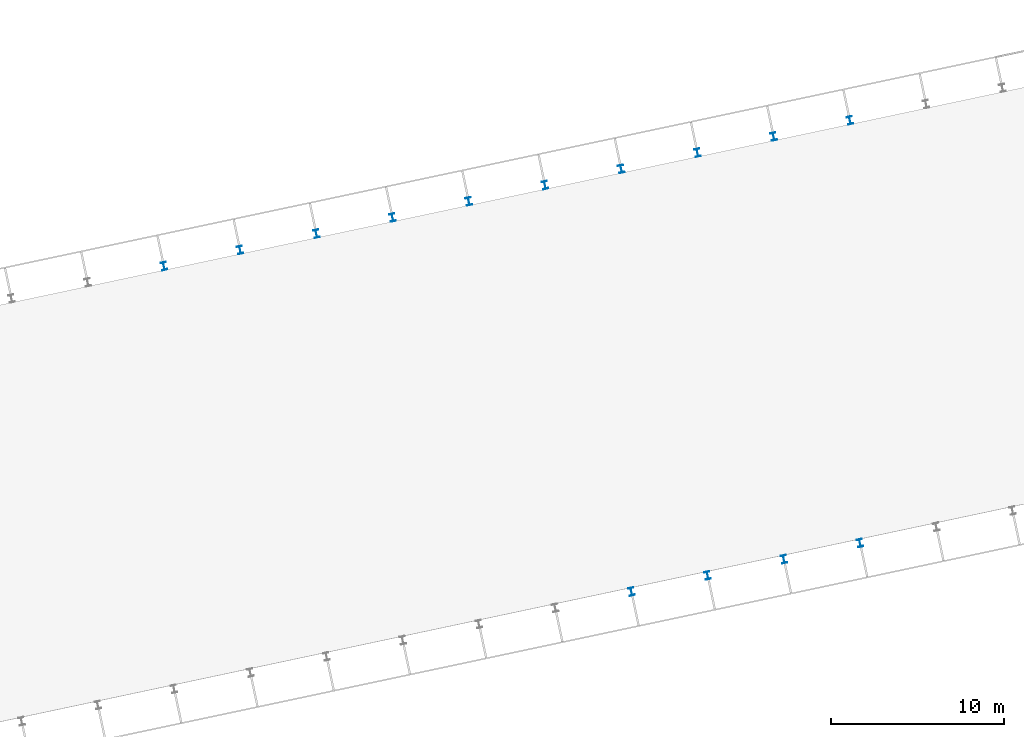
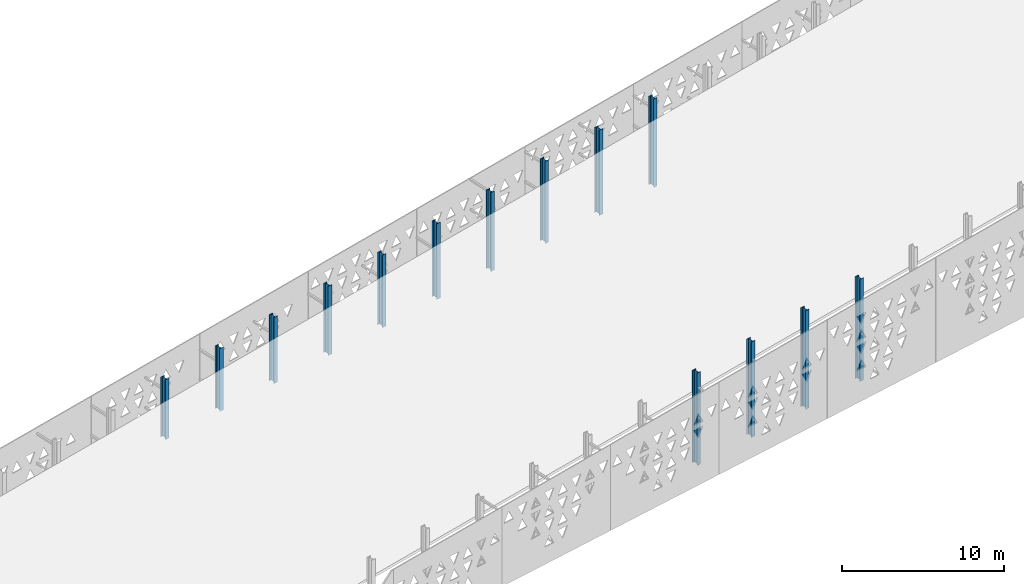
# One storey, part 4 of 41: 14 columns.
"""IFC4 building model written with IfcOpenShell, lengths in metres."""

import ifcopenshell
import ifcopenshell.guid

model = None  # the IFC model being written
_history = None  # IfcOwnerHistory: only IFC2X3 demands one
_inside = {}  # id of a spatial element -> (the spatial element, [elements in it])
_under = {}  # id of a project, library or spatial element -> (it, [spatial elements below it])
_declared = {}  # id of a project -> (the project, [libraries it declares])
_typed = {}  # id of a type object -> (the type object, [elements of that type])
_made_of = {}  # id of a material, layer set ... -> (it, [elements and type objects made of it])


def new_model(schema):
    """Start an empty IFC model of exactly this schema.

    Asked for "IFC4X3", IfcOpenShell would pick the latest addendum, in which some entities
    have other attributes; the version numbers below select the first issue.
    IFC2X3 requires an IfcOwnerHistory on every rooted entity: one is made here for all.
    """
    global model, _history
    if schema == "IFC4X3":
        model = ifcopenshell.file(schema_version=(4, 3, 0, 0))
    else:
        model = ifcopenshell.file(schema=schema)
    _inside.clear()
    _under.clear()
    _declared.clear()
    _typed.clear()
    _made_of.clear()
    _history = None
    if model.schema == "IFC2X3":
        org = make("IfcOrganization", Name="unknown")
        user = make(
            "IfcPersonAndOrganization",
            ThePerson=make("IfcPerson", FamilyName="unknown"),
            TheOrganization=org,
        )
        app = make(
            "IfcApplication",
            ApplicationDeveloper=org,
            Version="unknown",
            ApplicationFullName="unknown",
            ApplicationIdentifier="unknown",
        )
        _history = make(
            "IfcOwnerHistory",
            OwningUser=user,
            OwningApplication=app,
            ChangeAction="ADDED",
            CreationDate=0,
        )
    return model


def make(cls, **values):
    """One entity of the class cls with the attributes given. An attribute that is None is left unset."""
    return model.create_entity(
        cls, **{name: value for name, value in values.items() if value is not None}
    )


def rooted(cls, **values):
    """An entity with a GlobalId (a new one), such as an element, a storey or a relation."""
    return make(cls, GlobalId=ifcopenshell.guid.new(), OwnerHistory=_history, **values)


def si_unit(unit_type, name, prefix=None):
    """IfcSIUnit, for example si_unit("LENGTHUNIT", "METRE", prefix="MILLI")."""
    return make("IfcSIUnit", UnitType=unit_type, Prefix=prefix, Name=name)


def assignment(units):
    """IfcUnitAssignment: the units of a project."""
    return None if units is None else make("IfcUnitAssignment", Units=units)


def point(xyz):
    """IfcCartesianPoint."""
    return None if xyz is None else make("IfcCartesianPoint", Coordinates=xyz)


def direction(xyz):
    """IfcDirection."""
    return None if xyz is None else make("IfcDirection", DirectionRatios=xyz)


def frame(location, z_axis=None, x_axis=None):
    """IfcAxis2Placement3D, a coordinate frame: its origin and axes. An axis left out is left unset."""
    return make(
        "IfcAxis2Placement3D",
        Location=point(location),
        Axis=direction(z_axis),
        RefDirection=direction(x_axis),
    )


def frame_2d(location, x_axis=None):
    """IfcAxis2Placement2D, a coordinate frame in the plane: its origin and x axis."""
    return make(
        "IfcAxis2Placement2D", Location=point(location), RefDirection=direction(x_axis)
    )


def origin():
    """The frame at (0, 0, 0) with its axes left unset."""
    return frame((0.0, 0.0, 0.0))


def origin_2d():
    """The frame at (0, 0) in the plane with its x axis left unset."""
    return frame_2d((0.0, 0.0))


def place(relative_to, where):
    """IfcLocalPlacement: puts the frame where relative to a parent placement (None: the world)."""
    return make(
        "IfcLocalPlacement", PlacementRelTo=relative_to, RelativePlacement=where
    )


def context(
    kind, dimensions, precision=None, world=None, true_north=None, identifier=None
):
    """IfcGeometricRepresentationContext, for example the 3D "Model" context."""
    return make(
        "IfcGeometricRepresentationContext",
        ContextIdentifier=identifier,
        ContextType=kind,
        CoordinateSpaceDimension=dimensions,
        Precision=precision,
        WorldCoordinateSystem=world,
        TrueNorth=true_north,
    )


def subcontext(parent, identifier, kind, view, scale=None):
    """IfcGeometricRepresentationSubContext, for example "Body" below "Model"."""
    return make(
        "IfcGeometricRepresentationSubContext",
        ContextIdentifier=identifier,
        ContextType=kind,
        ParentContext=parent,
        TargetScale=scale,
        TargetView=view,
    )


def project(units=None, contexts=None):
    """IfcProject with its units and contexts."""
    return rooted(
        "IfcProject",
        Name="project",
        RepresentationContexts=contexts,
        UnitsInContext=assignment(units),
    )


def spatial(cls, under=None, at=None, **own):
    """A site, building, storey or space (cls), placed at a placement, below another one or the project."""
    s = rooted(cls, ObjectPlacement=at, **own)
    if under is not None:
        _under.setdefault(under.id(), (under, []))[1].append(s)
    return s


def profile(cls, at=None, kind="AREA", **sizes):
    """A parametric profile (cls). Its sizes go by their IFC names, for example OverallWidth=200.0."""
    return make(cls, ProfileType=kind, Position=at, **sizes)


def i_section(**sizes):
    """IfcIShapeProfileDef."""
    return profile("IfcIShapeProfileDef", **sizes)


def extrude(swept, where, along, depth):
    """IfcExtrudedAreaSolid: the profile swept, set in the frame where, extruded along a direction by depth."""
    return make(
        "IfcExtrudedAreaSolid",
        SweptArea=swept,
        Position=where,
        ExtrudedDirection=direction(along),
        Depth=depth,
    )


def shape(context_of_items, identifier, shape_type, items):
    """IfcShapeRepresentation: the items that make up one representation, for example the "Body"."""
    return make(
        "IfcShapeRepresentation",
        ContextOfItems=context_of_items,
        RepresentationIdentifier=identifier,
        RepresentationType=shape_type,
        Items=items,
    )


def material(Name=None, Category=None):
    """IfcMaterial."""
    return make("IfcMaterial", Name=Name, Category=Category)


def material_profile(
    of_material, cross_section, Name=None, Category=None, Priority=None
):
    """IfcMaterialProfile: a cross section and its material."""
    return make(
        "IfcMaterialProfile",
        Name=Name,
        Material=of_material,
        Profile=cross_section,
        Priority=Priority,
        Category=Category,
    )


def profile_set(profiles, Name=None, composite=None):
    """IfcMaterialProfileSet."""
    return make(
        "IfcMaterialProfileSet",
        Name=Name,
        MaterialProfiles=profiles,
        CompositeProfile=composite,
    )


def made_of(thing, what):
    """Note that an element or type object is made of a material, layer set ...; save() writes the relation."""
    if what is not None:
        _made_of.setdefault(what.id(), (what, []))[1].append(thing)
    return thing


def type_object(cls, material=None, **own):
    """A type object (cls), such as IfcWallType, which elements share."""
    return made_of(rooted(cls, **own), material)


def element(
    cls,
    number,
    at=None,
    inside=None,
    cuts=None,
    type_object=None,
    material=None,
    context=None,
    identifier="Body",
    shape_type=None,
    held_by="IfcProductDefinitionShape",
    body=None,
    shapes=None,
    **own,
):
    """One element of the class cls, such as IfcWall. Its Tag is "e" and its number.

    at: its placement. inside: the storey or other place that contains it. cuts: it is an
    opening in that element (IfcRelVoidsElement). A single representation is given by context,
    identifier, shape_type and body (its items); several are given by shapes. held_by: the class
    of the entity that holds the representations. save() writes the other relations.
    """
    e = rooted(cls, Tag="e%d" % number, ObjectPlacement=at, **own)
    if body is not None:
        shapes = [shape(context, identifier, shape_type, body)]
    if shapes is not None:
        e.Representation = make(held_by, Representations=shapes)
    if inside is not None:
        _inside.setdefault(inside.id(), (inside, []))[1].append(e)
    if cuts is not None:
        rooted(
            "IfcRelVoidsElement", RelatingBuildingElement=cuts, RelatedOpeningElement=e
        )
    if type_object is not None:
        _typed.setdefault(type_object.id(), (type_object, []))[1].append(e)
    return made_of(e, material)


def aggregate(whole, parts):
    """IfcRelAggregates: a whole, such as a stair, and the parts it consists of."""
    return rooted("IfcRelAggregates", RelatingObject=whole, RelatedObjects=parts)


def save(model, path):
    """Write the relations noted so far, then the file.

    IfcRelAggregates (storeys below a building ...), IfcRelContainedInSpatialStructure (elements
    in a storey), IfcRelDefinesByType, IfcRelAssociatesMaterial and IfcRelDeclares: one each for
    every whole, place, type object, material and project.
    """
    for whole, parts in _under.values():
        aggregate(whole, parts)
    for where, things in _inside.values():
        rooted(
            "IfcRelContainedInSpatialStructure",
            RelatedElements=things,
            RelatingStructure=where,
        )
    for kind, things in _typed.values():
        rooted("IfcRelDefinesByType", RelatedObjects=things, RelatingType=kind)
    for what, things in _made_of.values():
        rooted("IfcRelAssociatesMaterial", RelatedObjects=things, RelatingMaterial=what)
    for by, libraries in _declared.values():
        rooted("IfcRelDeclares", RelatingContext=by, RelatedDefinitions=libraries)
    model.write(path)


model = new_model("IFC4")

# Units and contexts
model_context = context("Model", 3, precision=1e-05, world=origin(), true_north=direction((0.0, 1.0)))
body_context = subcontext(model_context, "Body", "Model", "MODEL_VIEW")
ifc_project = project(units=[si_unit("LENGTHUNIT", "METRE"), si_unit("AREAUNIT", "SQUARE_METRE"), si_unit("VOLUMEUNIT", "CUBIC_METRE"), si_unit("PLANEANGLEUNIT", "RADIAN"), si_unit("MASSUNIT", "GRAM", prefix="KILO")], contexts=[model_context])

# Site, building, storey
site_placement = place(None, origin())
site = spatial("IfcSite", under=ifc_project, at=site_placement, CompositionType="ELEMENT")
building_placement = place(site_placement, origin())
building = spatial("IfcBuilding", under=site, at=building_placement, Name="Okhra Congress Centre", CompositionType="ELEMENT")
storey_placement = place(building_placement, frame((0.0, 0.0, 21.60009765625)))
storey = spatial("IfcBuildingStorey", under=building, at=storey_placement, Name="ROOF", CompositionType="ELEMENT", Elevation=21.60009765625)

# Columns
ifc_material = material(Name="Steel S355J2", Category="steel")
ifc_material_profile = material_profile(ifc_material, i_section(OverallWidth=0.300048828125, OverallDepth=0.449951171875, WebThickness=0.013916015625, FlangeThickness=0.02587890625, FilletRadius=0.027099609375, at=origin_2d()), Name="HE 450 B")
ifc_profile_set = profile_set([ifc_material_profile], Name="Steel S355J2")
column_type = type_object("IfcColumnType", Name="Steel post HE 450 B", PredefinedType="COLUMN", material=ifc_profile_set)
column_1_placement = place(storey_placement, frame((118.232666015625, 38.97216796875, 0.0), z_axis=(0.0, 0.0, 1.0), x_axis=(0.978147600734, 0.207911690818, 0.0)))
element("IfcColumn", 1, at=column_1_placement, inside=storey, type_object=column_type, Name="Screen upstand post S14", PredefinedType="COLUMN", context=body_context, shape_type="SweptSolid", body=[
    extrude(i_section(OverallWidth=0.300048828125, OverallDepth=0.449951171875, WebThickness=0.013916015625, FlangeThickness=0.02587890625, FilletRadius=0.027099609375, at=origin_2d()), origin(), (0.0, 0.0, 1.0), 6.949951171875),
])
column_2_placement = place(storey_placement, frame((122.63427734375, 39.90771484375, 0.0), z_axis=(0.0, 0.0, 1.0), x_axis=(0.978147600734, 0.207911690818, 0.0)))
element("IfcColumn", 2, at=column_2_placement, inside=storey, type_object=column_type, Name="Screen upstand post S15", PredefinedType="COLUMN", context=body_context, shape_type="SweptSolid", body=[
    extrude(i_section(OverallWidth=0.300048828125, OverallDepth=0.449951171875, WebThickness=0.013916015625, FlangeThickness=0.02587890625, FilletRadius=0.027099609375, at=origin_2d()), origin(), (0.0, 0.0, 1.0), 7.190673828125),
])
column_3_placement = place(storey_placement, frame((127.035888671875, 40.84326171875, 0.0), z_axis=(0.0, 0.0, 1.0), x_axis=(0.978147600734, 0.207911690818, 0.0)))
element("IfcColumn", 3, at=column_3_placement, inside=storey, type_object=column_type, Name="Screen upstand post S16", PredefinedType="COLUMN", context=body_context, shape_type="SweptSolid", body=[
    extrude(i_section(OverallWidth=0.300048828125, OverallDepth=0.449951171875, WebThickness=0.013916015625, FlangeThickness=0.02587890625, FilletRadius=0.027099609375, at=origin_2d()), origin(), (0.0, 0.0, 1.0), 7.431396484375),
])
column_4_placement = place(storey_placement, frame((131.4375, 41.77880859375, 0.0), z_axis=(0.0, 0.0, 1.0), x_axis=(0.978147600734, 0.207911690818, 0.0)))
element("IfcColumn", 4, at=column_4_placement, inside=storey, type_object=column_type, Name="Screen upstand post S17", PredefinedType="COLUMN", context=body_context, shape_type="SweptSolid", body=[
    extrude(i_section(OverallWidth=0.300048828125, OverallDepth=0.449951171875, WebThickness=0.013916015625, FlangeThickness=0.02587890625, FilletRadius=0.027099609375, at=origin_2d()), origin(), (0.0, 0.0, 1.0), 7.67236328125),
])
column_5_placement = place(storey_placement, frame((91.234375, 57.76953125, 0.0), z_axis=(0.0, 0.0, 1.0), x_axis=(0.978147600734, 0.207911690818, 0.0)))
element("IfcColumn", 5, at=column_5_placement, inside=storey, type_object=column_type, Name="Screen upstand post N9", PredefinedType="COLUMN", context=body_context, shape_type="SweptSolid", body=[
    extrude(i_section(OverallWidth=0.300048828125, OverallDepth=0.449951171875, WebThickness=0.013916015625, FlangeThickness=0.02587890625, FilletRadius=0.027099609375, at=origin_2d()), origin(), (0.0, 0.0, 1.0), 4.48828125),
])
column_6_placement = place(storey_placement, frame((95.635986328125, 58.705322265625, 0.0), z_axis=(0.0, 0.0, 1.0), x_axis=(0.978147600734, 0.207911690818, 0.0)))
element("IfcColumn", 6, at=column_6_placement, inside=storey, type_object=column_type, Name="Screen upstand post N10", PredefinedType="COLUMN", context=body_context, shape_type="SweptSolid", body=[
    extrude(i_section(OverallWidth=0.300048828125, OverallDepth=0.449951171875, WebThickness=0.013916015625, FlangeThickness=0.02587890625, FilletRadius=0.027099609375, at=origin_2d()), origin(), (0.0, 0.0, 1.0), 4.72900390625),
])
column_7_placement = place(storey_placement, frame((100.037841796875, 59.640869140625, 0.0), z_axis=(0.0, 0.0, 1.0), x_axis=(0.978147600734, 0.207911690818, 0.0)))
element("IfcColumn", 7, at=column_7_placement, inside=storey, type_object=column_type, Name="Screen upstand post N11", PredefinedType="COLUMN", context=body_context, shape_type="SweptSolid", body=[
    extrude(i_section(OverallWidth=0.300048828125, OverallDepth=0.449951171875, WebThickness=0.013916015625, FlangeThickness=0.02587890625, FilletRadius=0.027099609375, at=origin_2d()), origin(), (0.0, 0.0, 1.0), 4.969970703125),
])
column_8_placement = place(storey_placement, frame((104.439453125, 60.576416015625, 0.0), z_axis=(0.0, 0.0, 1.0), x_axis=(0.978147600734, 0.207911690818, 0.0)))
element("IfcColumn", 8, at=column_8_placement, inside=storey, type_object=column_type, Name="Screen upstand post N12", PredefinedType="COLUMN", context=body_context, shape_type="SweptSolid", body=[
    extrude(i_section(OverallWidth=0.300048828125, OverallDepth=0.449951171875, WebThickness=0.013916015625, FlangeThickness=0.02587890625, FilletRadius=0.027099609375, at=origin_2d()), origin(), (0.0, 0.0, 1.0), 5.210693359375),
])
column_9_placement = place(storey_placement, frame((108.841064453125, 61.511962890625, 0.0), z_axis=(0.0, 0.0, 1.0), x_axis=(0.978147600734, 0.207911690818, 0.0)))
element("IfcColumn", 9, at=column_9_placement, inside=storey, type_object=column_type, Name="Screen upstand post N13", PredefinedType="COLUMN", context=body_context, shape_type="SweptSolid", body=[
    extrude(i_section(OverallWidth=0.300048828125, OverallDepth=0.449951171875, WebThickness=0.013916015625, FlangeThickness=0.02587890625, FilletRadius=0.027099609375, at=origin_2d()), origin(), (0.0, 0.0, 1.0), 5.451416015625),
])
column_10_placement = place(storey_placement, frame((113.24267578125, 62.447509765625, 0.0), z_axis=(0.0, 0.0, 1.0), x_axis=(0.978147600734, 0.207911690818, 0.0)))
element("IfcColumn", 10, at=column_10_placement, inside=storey, type_object=column_type, Name="Screen upstand post N14", PredefinedType="COLUMN", context=body_context, shape_type="SweptSolid", body=[
    extrude(i_section(OverallWidth=0.300048828125, OverallDepth=0.449951171875, WebThickness=0.013916015625, FlangeThickness=0.02587890625, FilletRadius=0.027099609375, at=origin_2d()), origin(), (0.0, 0.0, 1.0), 5.692138671875),
])
column_11_placement = place(storey_placement, frame((117.64453125, 63.38330078125, 0.0), z_axis=(0.0, 0.0, 1.0), x_axis=(0.978147600734, 0.207911690818, 0.0)))
element("IfcColumn", 11, at=column_11_placement, inside=storey, type_object=column_type, Name="Screen upstand post N15", PredefinedType="COLUMN", context=body_context, shape_type="SweptSolid", body=[
    extrude(i_section(OverallWidth=0.300048828125, OverallDepth=0.449951171875, WebThickness=0.013916015625, FlangeThickness=0.02587890625, FilletRadius=0.027099609375, at=origin_2d()), origin(), (0.0, 0.0, 1.0), 5.932861328125),
])
column_12_placement = place(storey_placement, frame((122.046142578125, 64.31884765625, 0.0), z_axis=(0.0, 0.0, 1.0), x_axis=(0.978147600734, 0.207911690818, 0.0)))
element("IfcColumn", 12, at=column_12_placement, inside=storey, type_object=column_type, Name="Screen upstand post N16", PredefinedType="COLUMN", context=body_context, shape_type="SweptSolid", body=[
    extrude(i_section(OverallWidth=0.300048828125, OverallDepth=0.449951171875, WebThickness=0.013916015625, FlangeThickness=0.02587890625, FilletRadius=0.027099609375, at=origin_2d()), origin(), (0.0, 0.0, 1.0), 6.173583984375),
])
column_13_placement = place(storey_placement, frame((126.44775390625, 65.25439453125, 0.0), z_axis=(0.0, 0.0, 1.0), x_axis=(0.978147600734, 0.207911690818, 0.0)))
element("IfcColumn", 13, at=column_13_placement, inside=storey, type_object=column_type, Name="Screen upstand post N17", PredefinedType="COLUMN", context=body_context, shape_type="SweptSolid", body=[
    extrude(i_section(OverallWidth=0.300048828125, OverallDepth=0.449951171875, WebThickness=0.013916015625, FlangeThickness=0.02587890625, FilletRadius=0.027099609375, at=origin_2d()), origin(), (0.0, 0.0, 1.0), 6.41455078125),
])
column_14_placement = place(storey_placement, frame((130.849365234375, 66.18994140625, 0.0), z_axis=(0.0, 0.0, 1.0), x_axis=(0.978147600734, 0.207911690818, 0.0)))
element("IfcColumn", 14, at=column_14_placement, inside=storey, type_object=column_type, Name="Screen upstand post N18", PredefinedType="COLUMN", context=body_context, shape_type="SweptSolid", body=[
    extrude(i_section(OverallWidth=0.300048828125, OverallDepth=0.449951171875, WebThickness=0.013916015625, FlangeThickness=0.02587890625, FilletRadius=0.027099609375, at=origin_2d()), origin(), (0.0, 0.0, 1.0), 6.6552734375),
])

save(model, "model.ifc")
